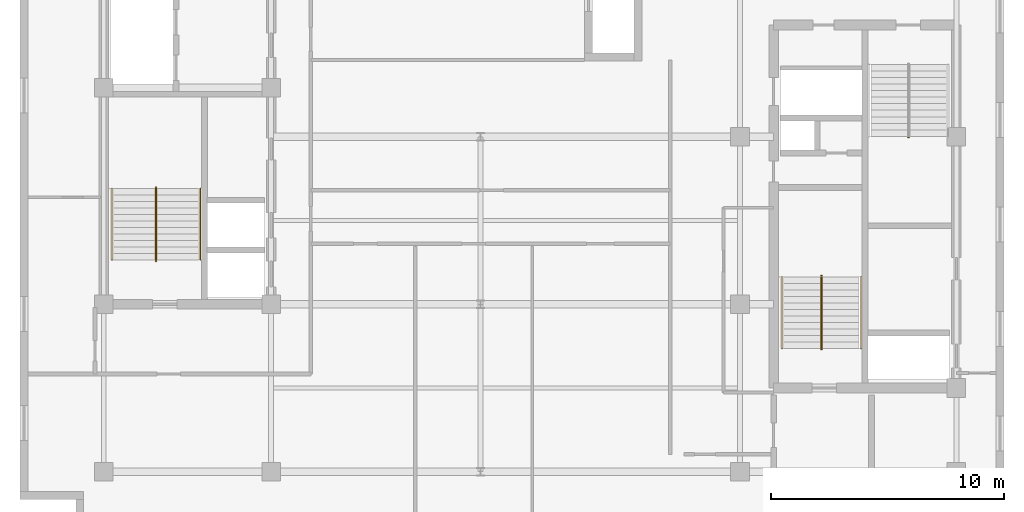
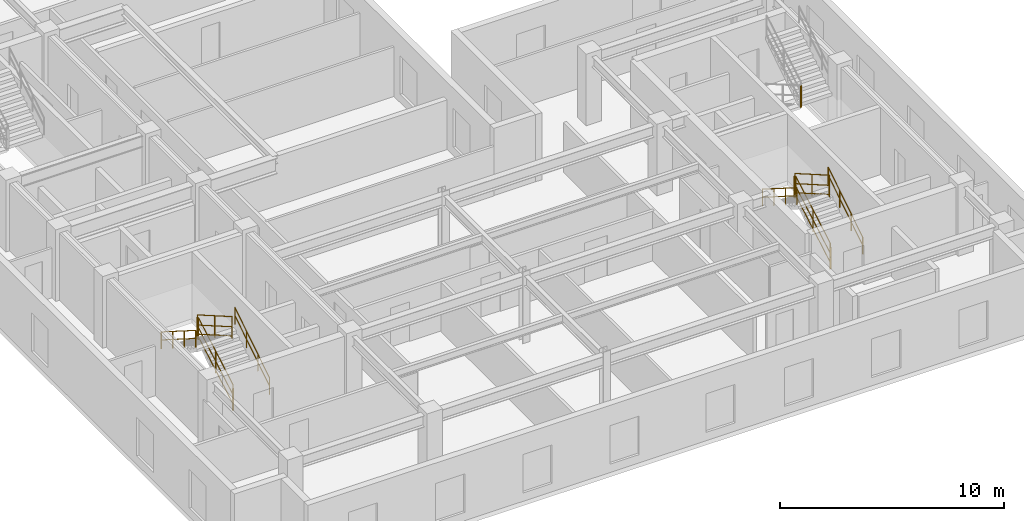
# One storey, part 8 of 10: 13 railings.
"""IFC4 building model written with IfcOpenShell, lengths in metres."""

from ifc_helpers import new_model, entity, si_unit, converted_unit, direction, frame, origin_with_axes, origin_2d_with_axis, place, context, subcontext, project, spatial, rectangle, circle, extrude, material, type_object, element, save


model = new_model("IFC4")

# Units and contexts
model_context = context("Model", 3, precision=1e-05, world=origin_with_axes(), true_north=direction((0.0, 1.0)))
body_context = subcontext(model_context, "Body", "Model", "MODEL_VIEW")
ifc_project = project(units=[si_unit("LENGTHUNIT", "METRE"), si_unit("AREAUNIT", "SQUARE_METRE"), si_unit("VOLUMEUNIT", "CUBIC_METRE"), converted_unit("PLANEANGLEUNIT", "DEGREE", entity("IfcPlaneAngleMeasure", 0.017453292519943295), si_unit("PLANEANGLEUNIT", "RADIAN"), dimensions=[0, 0, 0, 0, 0, 0, 0]), si_unit("MASSUNIT", "GRAM", prefix="KILO"), si_unit("THERMODYNAMICTEMPERATUREUNIT", "KELVIN")], contexts=[model_context])

# Site, building, storey
site_placement = place(None, origin_with_axes())
site = spatial("IfcSite", under=ifc_project, at=site_placement, CompositionType="ELEMENT")
building_placement = place(site_placement, origin_with_axes())
building = spatial("IfcBuilding", under=site, at=building_placement, Name="Varnlund Millrace Tower", CompositionType="ELEMENT")
storey_placement = place(building_placement, frame((0.0, 0.0, 276.3), z_axis=(0.0, 0.0, 1.0), x_axis=(1.0, 0.0, 0.0)))
storey = spatial("IfcBuildingStorey", under=building, at=storey_placement, Name="L68", CompositionType="ELEMENT", Elevation=276.3)

# Railings
ifc_material_1 = material(Name="Painted steel stair well balustrade guard", Category="steel")
railing_type_1 = type_object("IfcRailingType", Name="Type-StairGuard-1150", PredefinedType="GUARDRAIL", material=ifc_material_1)
railing_1_placement = place(storey_placement, frame((0.0, 0.0, -276.3), z_axis=(0.0, 0.0, 1.0), x_axis=(1.0, 0.0, 0.0)))
element("IfcRailing", 1, at=railing_1_placement, inside=storey, type_object=railing_type_1, Name="Type-StairGuard-1150", PredefinedType="GUARDRAIL", context=body_context, shape_type="SweptSolid", body=[
    extrude(circle(Radius=0.024, at=origin_2d_with_axis()), frame((13.675, 12.7, 277.627273), z_axis=(0.0, 0.866696, 0.498836), x_axis=(-1.0, 0.0, 0.0)), (0.0, 0.0, 1.0), 3.553725),
    extrude(circle(Radius=0.024, at=origin_2d_with_axis()), frame((13.675, 12.7, 276.577273), z_axis=(0.0, 0.866696, 0.498836), x_axis=(-1.0, 0.0, 0.0)), (0.0, 0.0, 1.0), 3.553725),
    extrude(circle(Radius=0.024, at=origin_2d_with_axis()), frame((13.675, 12.7, 277.075273), z_axis=(0.0, 0.866696, 0.498836), x_axis=(-1.0, 0.0, 0.0)), (0.0, 0.0, 1.0), 3.553725),
    extrude(rectangle(XDim=0.04, YDim=0.04, at=origin_2d_with_axis()), frame((13.675, 12.7, 276.437273), z_axis=(0.0, 0.0, 1.0), x_axis=(1.0, 0.0, 0.0)), (0.0, 0.0, 1.0), 1.19),
    extrude(rectangle(XDim=0.04, YDim=0.04, at=origin_2d_with_axis()), frame((13.675, 14.24, 277.323636), z_axis=(0.0, 0.0, 1.0), x_axis=(1.0, 0.0, 0.0)), (0.0, 0.0, 1.0), 1.19),
    extrude(rectangle(XDim=0.04, YDim=0.04, at=origin_2d_with_axis()), frame((13.675, 15.78, 278.21), z_axis=(0.0, 0.0, 1.0), x_axis=(1.0, 0.0, 0.0)), (0.0, 0.0, 1.0), 1.19),
])
railing_2_placement = place(storey_placement, frame((0.0, 0.0, -276.3), z_axis=(0.0, 0.0, 1.0), x_axis=(1.0, 0.0, 0.0)))
element("IfcRailing", 2, at=railing_2_placement, inside=storey, type_object=railing_type_1, Name="Type-StairGuard-1150", PredefinedType="GUARDRAIL", context=body_context, shape_type="SweptSolid", body=[
    extrude(circle(Radius=0.024, at=origin_2d_with_axis()), frame((13.625, 15.83, 279.4), z_axis=(1.0, 0.0, 0.0), x_axis=(0.0, 1.0, 0.0)), (0.0, 0.0, 1.0), 0.05),
    extrude(circle(Radius=0.024, at=origin_2d_with_axis()), frame((13.625, 15.83, 278.35), z_axis=(1.0, 0.0, 0.0), x_axis=(0.0, 1.0, 0.0)), (0.0, 0.0, 1.0), 0.05),
    extrude(circle(Radius=0.024, at=origin_2d_with_axis()), frame((13.625, 15.83, 278.848), z_axis=(1.0, 0.0, 0.0), x_axis=(0.0, 1.0, 0.0)), (0.0, 0.0, 1.0), 0.05),
    extrude(rectangle(XDim=0.04, YDim=0.04, at=origin_2d_with_axis()), frame((13.625, 15.83, 278.21), z_axis=(0.0, 0.0, 1.0), x_axis=(1.0, 0.0, 0.0)), (0.0, 0.0, 1.0), 1.19),
    extrude(rectangle(XDim=0.04, YDim=0.04, at=origin_2d_with_axis()), frame((13.675, 15.83, 278.21), z_axis=(0.0, 0.0, 1.0), x_axis=(1.0, 0.0, 0.0)), (0.0, 0.0, 1.0), 1.19),
])
railing_3_placement = place(storey_placement, frame((0.0, 0.0, -276.3), z_axis=(0.0, 0.0, 1.0), x_axis=(1.0, 0.0, 0.0)))
element("IfcRailing", 3, at=railing_3_placement, inside=storey, type_object=railing_type_1, Name="Type-StairGuard-1150", PredefinedType="GUARDRAIL", context=body_context, shape_type="SweptSolid", body=[
    extrude(circle(Radius=0.024, at=origin_2d_with_axis()), frame((13.625, 15.78, 279.577273), z_axis=(0.0, -0.866696, 0.498836), x_axis=(1.0, 0.0, 0.0)), (0.0, 0.0, 1.0), 3.553725),
    extrude(circle(Radius=0.024, at=origin_2d_with_axis()), frame((13.625, 15.78, 278.527273), z_axis=(0.0, -0.866696, 0.498836), x_axis=(1.0, 0.0, 0.0)), (0.0, 0.0, 1.0), 3.553725),
    extrude(circle(Radius=0.024, at=origin_2d_with_axis()), frame((13.625, 15.78, 279.025273), z_axis=(0.0, -0.866696, 0.498836), x_axis=(1.0, 0.0, 0.0)), (0.0, 0.0, 1.0), 3.553725),
    extrude(rectangle(XDim=0.04, YDim=0.04, at=origin_2d_with_axis()), frame((13.625, 15.78, 278.387273), z_axis=(0.0, 0.0, 1.0), x_axis=(1.0, 0.0, 0.0)), (0.0, 0.0, 1.0), 1.19),
    extrude(rectangle(XDim=0.04, YDim=0.04, at=origin_2d_with_axis()), frame((13.625, 14.24, 279.273636), z_axis=(0.0, 0.0, 1.0), x_axis=(1.0, 0.0, 0.0)), (0.0, 0.0, 1.0), 1.19),
    extrude(rectangle(XDim=0.04, YDim=0.04, at=origin_2d_with_axis()), frame((13.625, 12.7, 280.16), z_axis=(0.0, 0.0, 1.0), x_axis=(1.0, 0.0, 0.0)), (0.0, 0.0, 1.0), 1.19),
])
railing_4_placement = place(storey_placement, frame((0.0, 0.0, -276.3), z_axis=(0.0, 0.0, 1.0), x_axis=(1.0, 0.0, 0.0)))
element("IfcRailing", 4, at=railing_4_placement, inside=storey, type_object=railing_type_1, Name="Type-StairGuard-1150", PredefinedType="GUARDRAIL", context=body_context, shape_type="SweptSolid", body=[
    extrude(circle(Radius=0.024, at=origin_2d_with_axis()), frame((13.625, 12.65, 277.45), z_axis=(1.0, 0.0, 0.0), x_axis=(0.0, 1.0, 0.0)), (0.0, 0.0, 1.0), 0.05),
    extrude(circle(Radius=0.024, at=origin_2d_with_axis()), frame((13.625, 12.65, 276.4), z_axis=(1.0, 0.0, 0.0), x_axis=(0.0, 1.0, 0.0)), (0.0, 0.0, 1.0), 0.05),
    extrude(circle(Radius=0.024, at=origin_2d_with_axis()), frame((13.625, 12.65, 276.898), z_axis=(1.0, 0.0, 0.0), x_axis=(0.0, 1.0, 0.0)), (0.0, 0.0, 1.0), 0.05),
    extrude(rectangle(XDim=0.04, YDim=0.04, at=origin_2d_with_axis()), frame((13.625, 12.65, 276.26), z_axis=(0.0, 0.0, 1.0), x_axis=(1.0, 0.0, 0.0)), (0.0, 0.0, 1.0), 1.19),
    extrude(rectangle(XDim=0.04, YDim=0.04, at=origin_2d_with_axis()), frame((13.675, 12.65, 276.26), z_axis=(0.0, 0.0, 1.0), x_axis=(1.0, 0.0, 0.0)), (0.0, 0.0, 1.0), 1.19),
])
railing_5_placement = place(storey_placement, frame((0.0, 0.0, -276.3), z_axis=(0.0, 0.0, 1.0), x_axis=(1.0, 0.0, 0.0)))
element("IfcRailing", 5, at=railing_5_placement, inside=storey, type_object=railing_type_1, Name="Type-StairGuard-1150", PredefinedType="GUARDRAIL", context=body_context, shape_type="SweptSolid", body=[
    extrude(circle(Radius=0.024, at=origin_2d_with_axis()), frame((42.275, 8.9, 277.627273), z_axis=(0.0, 0.866696, 0.498836), x_axis=(-1.0, 0.0, 0.0)), (0.0, 0.0, 1.0), 3.553725),
    extrude(circle(Radius=0.024, at=origin_2d_with_axis()), frame((42.275, 8.9, 276.577273), z_axis=(0.0, 0.866696, 0.498836), x_axis=(-1.0, 0.0, 0.0)), (0.0, 0.0, 1.0), 3.553725),
    extrude(circle(Radius=0.024, at=origin_2d_with_axis()), frame((42.275, 8.9, 277.075273), z_axis=(0.0, 0.866696, 0.498836), x_axis=(-1.0, 0.0, 0.0)), (0.0, 0.0, 1.0), 3.553725),
    extrude(rectangle(XDim=0.04, YDim=0.04, at=origin_2d_with_axis()), frame((42.275, 8.9, 276.437273), z_axis=(0.0, 0.0, 1.0), x_axis=(1.0, 0.0, 0.0)), (0.0, 0.0, 1.0), 1.19),
    extrude(rectangle(XDim=0.04, YDim=0.04, at=origin_2d_with_axis()), frame((42.275, 10.44, 277.323636), z_axis=(0.0, 0.0, 1.0), x_axis=(1.0, 0.0, 0.0)), (0.0, 0.0, 1.0), 1.19),
    extrude(rectangle(XDim=0.04, YDim=0.04, at=origin_2d_with_axis()), frame((42.275, 11.98, 278.21), z_axis=(0.0, 0.0, 1.0), x_axis=(1.0, 0.0, 0.0)), (0.0, 0.0, 1.0), 1.19),
])
railing_6_placement = place(storey_placement, frame((0.0, 0.0, -276.3), z_axis=(0.0, 0.0, 1.0), x_axis=(1.0, 0.0, 0.0)))
element("IfcRailing", 6, at=railing_6_placement, inside=storey, type_object=railing_type_1, Name="Type-StairGuard-1150", PredefinedType="GUARDRAIL", context=body_context, shape_type="SweptSolid", body=[
    extrude(circle(Radius=0.024, at=origin_2d_with_axis()), frame((42.225, 12.03, 279.4), z_axis=(1.0, 0.0, 0.0), x_axis=(0.0, 1.0, 0.0)), (0.0, 0.0, 1.0), 0.05),
    extrude(circle(Radius=0.024, at=origin_2d_with_axis()), frame((42.225, 12.03, 278.35), z_axis=(1.0, 0.0, 0.0), x_axis=(0.0, 1.0, 0.0)), (0.0, 0.0, 1.0), 0.05),
    extrude(circle(Radius=0.024, at=origin_2d_with_axis()), frame((42.225, 12.03, 278.848), z_axis=(1.0, 0.0, 0.0), x_axis=(0.0, 1.0, 0.0)), (0.0, 0.0, 1.0), 0.05),
    extrude(rectangle(XDim=0.04, YDim=0.04, at=origin_2d_with_axis()), frame((42.225, 12.03, 278.21), z_axis=(0.0, 0.0, 1.0), x_axis=(1.0, 0.0, 0.0)), (0.0, 0.0, 1.0), 1.19),
    extrude(rectangle(XDim=0.04, YDim=0.04, at=origin_2d_with_axis()), frame((42.275, 12.03, 278.21), z_axis=(0.0, 0.0, 1.0), x_axis=(1.0, 0.0, 0.0)), (0.0, 0.0, 1.0), 1.19),
])
railing_7_placement = place(storey_placement, frame((0.0, 0.0, -276.3), z_axis=(0.0, 0.0, 1.0), x_axis=(1.0, 0.0, 0.0)))
element("IfcRailing", 7, at=railing_7_placement, inside=storey, type_object=railing_type_1, Name="Type-StairGuard-1150", PredefinedType="GUARDRAIL", context=body_context, shape_type="SweptSolid", body=[
    extrude(circle(Radius=0.024, at=origin_2d_with_axis()), frame((42.225, 11.98, 279.577273), z_axis=(0.0, -0.866696, 0.498836), x_axis=(1.0, 0.0, 0.0)), (0.0, 0.0, 1.0), 3.553725),
    extrude(circle(Radius=0.024, at=origin_2d_with_axis()), frame((42.225, 11.98, 278.527273), z_axis=(0.0, -0.866696, 0.498836), x_axis=(1.0, 0.0, 0.0)), (0.0, 0.0, 1.0), 3.553725),
    extrude(circle(Radius=0.024, at=origin_2d_with_axis()), frame((42.225, 11.98, 279.025273), z_axis=(0.0, -0.866696, 0.498836), x_axis=(1.0, 0.0, 0.0)), (0.0, 0.0, 1.0), 3.553725),
    extrude(rectangle(XDim=0.04, YDim=0.04, at=origin_2d_with_axis()), frame((42.225, 11.98, 278.387273), z_axis=(0.0, 0.0, 1.0), x_axis=(1.0, 0.0, 0.0)), (0.0, 0.0, 1.0), 1.19),
    extrude(rectangle(XDim=0.04, YDim=0.04, at=origin_2d_with_axis()), frame((42.225, 10.44, 279.273636), z_axis=(0.0, 0.0, 1.0), x_axis=(1.0, 0.0, 0.0)), (0.0, 0.0, 1.0), 1.19),
    extrude(rectangle(XDim=0.04, YDim=0.04, at=origin_2d_with_axis()), frame((42.225, 8.9, 280.16), z_axis=(0.0, 0.0, 1.0), x_axis=(1.0, 0.0, 0.0)), (0.0, 0.0, 1.0), 1.19),
])
railing_8_placement = place(storey_placement, frame((0.0, 0.0, -276.3), z_axis=(0.0, 0.0, 1.0), x_axis=(1.0, 0.0, 0.0)))
element("IfcRailing", 8, at=railing_8_placement, inside=storey, type_object=railing_type_1, Name="Type-StairGuard-1150", PredefinedType="GUARDRAIL", context=body_context, shape_type="SweptSolid", body=[
    extrude(circle(Radius=0.024, at=origin_2d_with_axis()), frame((42.225, 8.85, 277.45), z_axis=(1.0, 0.0, 0.0), x_axis=(0.0, 1.0, 0.0)), (0.0, 0.0, 1.0), 0.05),
    extrude(circle(Radius=0.024, at=origin_2d_with_axis()), frame((42.225, 8.85, 276.4), z_axis=(1.0, 0.0, 0.0), x_axis=(0.0, 1.0, 0.0)), (0.0, 0.0, 1.0), 0.05),
    extrude(circle(Radius=0.024, at=origin_2d_with_axis()), frame((42.225, 8.85, 276.898), z_axis=(1.0, 0.0, 0.0), x_axis=(0.0, 1.0, 0.0)), (0.0, 0.0, 1.0), 0.05),
    extrude(rectangle(XDim=0.04, YDim=0.04, at=origin_2d_with_axis()), frame((42.225, 8.85, 276.26), z_axis=(0.0, 0.0, 1.0), x_axis=(1.0, 0.0, 0.0)), (0.0, 0.0, 1.0), 1.19),
    extrude(rectangle(XDim=0.04, YDim=0.04, at=origin_2d_with_axis()), frame((42.275, 8.85, 276.26), z_axis=(0.0, 0.0, 1.0), x_axis=(1.0, 0.0, 0.0)), (0.0, 0.0, 1.0), 1.19),
])
railing_9_placement = place(storey_placement, frame((0.0, 0.0, -276.3), z_axis=(0.0, 0.0, 1.0), x_axis=(1.0, 0.0, 0.0)))
element("IfcRailing", 9, at=railing_9_placement, inside=storey, type_object=railing_type_1, Name="Type-StairGuard-1150", PredefinedType="GUARDRAIL", context=body_context, shape_type="SweptSolid", body=[
    extrude(circle(Radius=0.024, at=origin_2d_with_axis()), frame((46.025, 17.97, 279.4), z_axis=(-1.0, 0.0, 0.0), x_axis=(0.0, -1.0, 0.0)), (0.0, 0.0, 1.0), 0.05),
    extrude(circle(Radius=0.024, at=origin_2d_with_axis()), frame((46.025, 17.97, 278.35), z_axis=(-1.0, 0.0, 0.0), x_axis=(0.0, -1.0, 0.0)), (0.0, 0.0, 1.0), 0.05),
    extrude(circle(Radius=0.024, at=origin_2d_with_axis()), frame((46.025, 17.97, 278.848), z_axis=(-1.0, 0.0, 0.0), x_axis=(0.0, -1.0, 0.0)), (0.0, 0.0, 1.0), 0.05),
    extrude(rectangle(XDim=0.04, YDim=0.04, at=origin_2d_with_axis()), frame((46.025, 17.97, 278.21), z_axis=(0.0, 0.0, 1.0), x_axis=(1.0, 0.0, 0.0)), (0.0, 0.0, 1.0), 1.19),
    extrude(rectangle(XDim=0.04, YDim=0.04, at=origin_2d_with_axis()), frame((45.975, 17.97, 278.21), z_axis=(0.0, 0.0, 1.0), x_axis=(1.0, 0.0, 0.0)), (0.0, 0.0, 1.0), 1.19),
])
ifc_material_2 = material(Name="Brushed architectural bronze stair handrail", Category="aluminium")
railing_type_2 = type_object("IfcRailingType", Name="Type-StairHandrail-900", PredefinedType="HANDRAIL", material=ifc_material_2)
railing_10_placement = place(storey_placement, frame((0.0, 0.0, -276.3), z_axis=(0.0, 0.0, 1.0), x_axis=(1.0, 0.0, 0.0)))
element("IfcRailing", 10, at=railing_10_placement, inside=storey, type_object=railing_type_2, Name="Type-StairHandrail-900", PredefinedType="HANDRAIL", context=body_context, shape_type="SweptSolid", body=[
    extrude(circle(Radius=0.024, at=origin_2d_with_axis()), frame((15.55, 12.7, 277.356995), z_axis=(0.0, 0.844902, 0.534922), x_axis=(-1.0, 0.0, 0.0)), (0.0, 0.0, 1.0), 3.645394),
    extrude(circle(Radius=0.024, at=origin_2d_with_axis()), frame((15.55, 12.7, 276.917134), z_axis=(0.0, 0.844902, 0.534922), x_axis=(-1.0, 0.0, 0.0)), (0.0, 0.0, 1.0), 3.645394),
    extrude(rectangle(XDim=0.04, YDim=0.04, at=origin_2d_with_axis()), frame((15.55, 12.7, 276.437273), z_axis=(0.0, 0.0, 1.0), x_axis=(1.0, 0.0, 0.0)), (0.0, 0.0, 1.0), 0.919722),
    extrude(rectangle(XDim=0.04, YDim=0.04, at=origin_2d_with_axis()), frame((15.55, 13.726667, 277.087273), z_axis=(0.0, 0.0, 1.0), x_axis=(1.0, 0.0, 0.0)), (0.0, 0.0, 1.0), 0.919722),
    extrude(rectangle(XDim=0.04, YDim=0.04, at=origin_2d_with_axis()), frame((15.55, 14.753333, 277.737273), z_axis=(0.0, 0.0, 1.0), x_axis=(1.0, 0.0, 0.0)), (0.0, 0.0, 1.0), 0.919722),
    extrude(rectangle(XDim=0.04, YDim=0.04, at=origin_2d_with_axis()), frame((15.55, 15.78, 278.387273), z_axis=(0.0, 0.0, 1.0), x_axis=(1.0, 0.0, 0.0)), (0.0, 0.0, 1.0), 0.919722),
])
railing_11_placement = place(storey_placement, frame((0.0, 0.0, -276.3), z_axis=(0.0, 0.0, 1.0), x_axis=(1.0, 0.0, 0.0)))
element("IfcRailing", 11, at=railing_11_placement, inside=storey, type_object=railing_type_2, Name="Type-StairHandrail-900", PredefinedType="HANDRAIL", context=body_context, shape_type="SweptSolid", body=[
    extrude(circle(Radius=0.024, at=origin_2d_with_axis()), frame((11.75, 15.78, 279.306995), z_axis=(0.0, -0.844902, 0.534922), x_axis=(1.0, 0.0, 0.0)), (0.0, 0.0, 1.0), 3.645394),
    extrude(circle(Radius=0.024, at=origin_2d_with_axis()), frame((11.75, 15.78, 278.867134), z_axis=(0.0, -0.844902, 0.534922), x_axis=(1.0, 0.0, 0.0)), (0.0, 0.0, 1.0), 3.645394),
    extrude(rectangle(XDim=0.04, YDim=0.04, at=origin_2d_with_axis()), frame((11.75, 15.78, 278.387273), z_axis=(0.0, 0.0, 1.0), x_axis=(1.0, 0.0, 0.0)), (0.0, 0.0, 1.0), 0.919722),
    extrude(rectangle(XDim=0.04, YDim=0.04, at=origin_2d_with_axis()), frame((11.75, 14.753333, 279.037273), z_axis=(0.0, 0.0, 1.0), x_axis=(1.0, 0.0, 0.0)), (0.0, 0.0, 1.0), 0.919722),
    extrude(rectangle(XDim=0.04, YDim=0.04, at=origin_2d_with_axis()), frame((11.75, 13.726667, 279.687273), z_axis=(0.0, 0.0, 1.0), x_axis=(1.0, 0.0, 0.0)), (0.0, 0.0, 1.0), 0.919722),
    extrude(rectangle(XDim=0.04, YDim=0.04, at=origin_2d_with_axis()), frame((11.75, 12.7, 280.337273), z_axis=(0.0, 0.0, 1.0), x_axis=(1.0, 0.0, 0.0)), (0.0, 0.0, 1.0), 0.919722),
])
railing_12_placement = place(storey_placement, frame((0.0, 0.0, -276.3), z_axis=(0.0, 0.0, 1.0), x_axis=(1.0, 0.0, 0.0)))
element("IfcRailing", 12, at=railing_12_placement, inside=storey, type_object=railing_type_2, Name="Type-StairHandrail-900", PredefinedType="HANDRAIL", context=body_context, shape_type="SweptSolid", body=[
    extrude(circle(Radius=0.024, at=origin_2d_with_axis()), frame((43.95, 8.9, 277.356995), z_axis=(0.0, 0.844902, 0.534922), x_axis=(-1.0, 0.0, 0.0)), (0.0, 0.0, 1.0), 3.645394),
    extrude(circle(Radius=0.024, at=origin_2d_with_axis()), frame((43.95, 8.9, 276.917134), z_axis=(0.0, 0.844902, 0.534922), x_axis=(-1.0, 0.0, 0.0)), (0.0, 0.0, 1.0), 3.645394),
    extrude(rectangle(XDim=0.04, YDim=0.04, at=origin_2d_with_axis()), frame((43.95, 8.9, 276.437273), z_axis=(0.0, 0.0, 1.0), x_axis=(1.0, 0.0, 0.0)), (0.0, 0.0, 1.0), 0.919722),
    extrude(rectangle(XDim=0.04, YDim=0.04, at=origin_2d_with_axis()), frame((43.95, 9.926667, 277.087273), z_axis=(0.0, 0.0, 1.0), x_axis=(1.0, 0.0, 0.0)), (0.0, 0.0, 1.0), 0.919722),
    extrude(rectangle(XDim=0.04, YDim=0.04, at=origin_2d_with_axis()), frame((43.95, 10.953333, 277.737273), z_axis=(0.0, 0.0, 1.0), x_axis=(1.0, 0.0, 0.0)), (0.0, 0.0, 1.0), 0.919722),
    extrude(rectangle(XDim=0.04, YDim=0.04, at=origin_2d_with_axis()), frame((43.95, 11.98, 278.387273), z_axis=(0.0, 0.0, 1.0), x_axis=(1.0, 0.0, 0.0)), (0.0, 0.0, 1.0), 0.919722),
])
railing_13_placement = place(storey_placement, frame((0.0, 0.0, -276.3), z_axis=(0.0, 0.0, 1.0), x_axis=(1.0, 0.0, 0.0)))
element("IfcRailing", 13, at=railing_13_placement, inside=storey, type_object=railing_type_2, Name="Type-StairHandrail-900", PredefinedType="HANDRAIL", context=body_context, shape_type="SweptSolid", body=[
    extrude(circle(Radius=0.024, at=origin_2d_with_axis()), frame((40.55, 11.98, 279.306995), z_axis=(0.0, -0.844902, 0.534922), x_axis=(1.0, 0.0, 0.0)), (0.0, 0.0, 1.0), 3.645394),
    extrude(circle(Radius=0.024, at=origin_2d_with_axis()), frame((40.55, 11.98, 278.867134), z_axis=(0.0, -0.844902, 0.534922), x_axis=(1.0, 0.0, 0.0)), (0.0, 0.0, 1.0), 3.645394),
    extrude(rectangle(XDim=0.04, YDim=0.04, at=origin_2d_with_axis()), frame((40.55, 11.98, 278.387273), z_axis=(0.0, 0.0, 1.0), x_axis=(1.0, 0.0, 0.0)), (0.0, 0.0, 1.0), 0.919722),
    extrude(rectangle(XDim=0.04, YDim=0.04, at=origin_2d_with_axis()), frame((40.55, 10.953333, 279.037273), z_axis=(0.0, 0.0, 1.0), x_axis=(1.0, 0.0, 0.0)), (0.0, 0.0, 1.0), 0.919722),
    extrude(rectangle(XDim=0.04, YDim=0.04, at=origin_2d_with_axis()), frame((40.55, 9.926667, 279.687273), z_axis=(0.0, 0.0, 1.0), x_axis=(1.0, 0.0, 0.0)), (0.0, 0.0, 1.0), 0.919722),
    extrude(rectangle(XDim=0.04, YDim=0.04, at=origin_2d_with_axis()), frame((40.55, 8.9, 280.337273), z_axis=(0.0, 0.0, 1.0), x_axis=(1.0, 0.0, 0.0)), (0.0, 0.0, 1.0), 0.919722),
])

save(model, "model.ifc")
